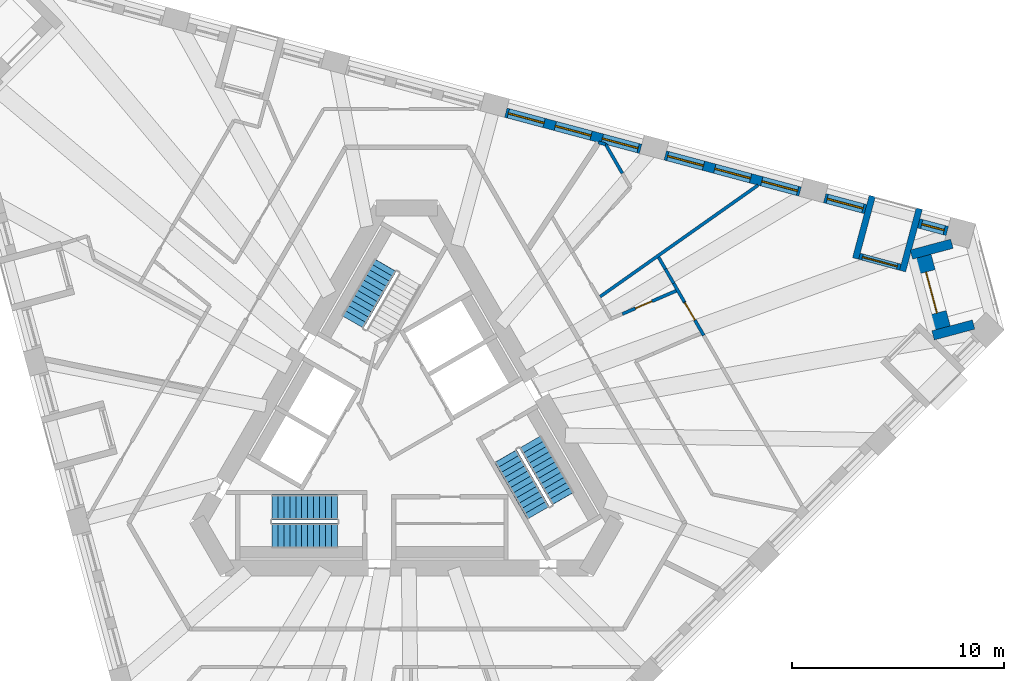
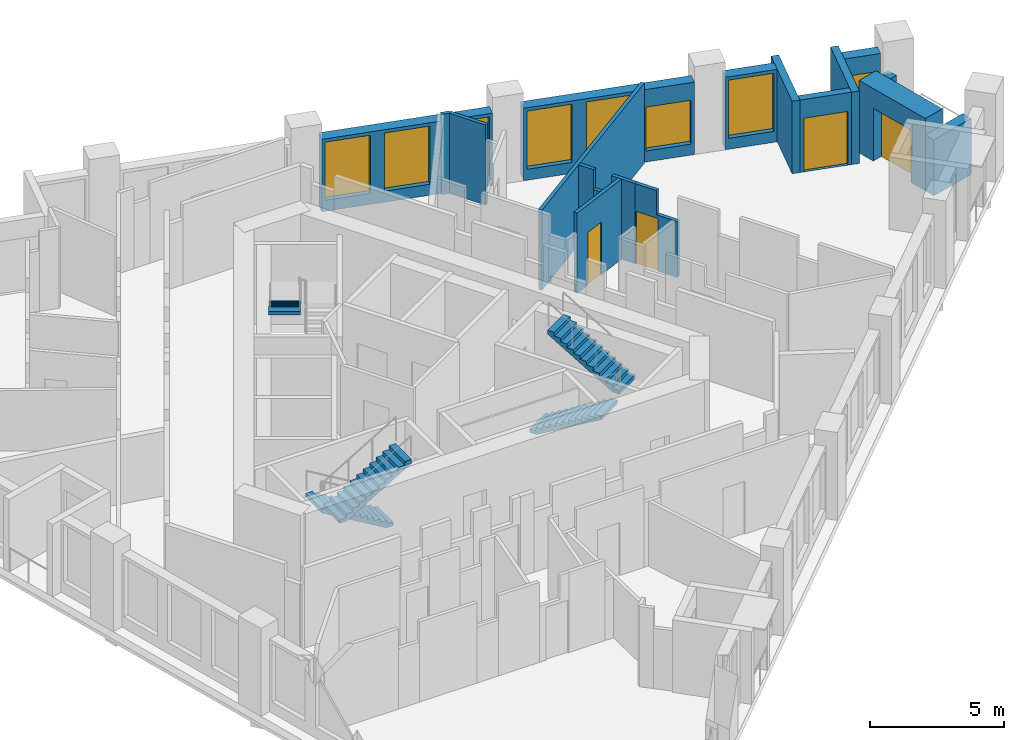
# One storey, part 8 of 13: 18 walls, 8 windows, 5 stair flights, 4 doors, 12 openings, 3 elements without a shape of their own.
"""IFC4 building model written with IfcOpenShell, lengths in metres."""

from ifc_helpers import new_model, si_unit, direction, frame, frame_2d, origin, place, context, subcontext, project, spatial, polyline, rectangle, outline, extrude, material, layer, layer_set, type_object, element, fill, aggregate, save


model = new_model("IFC4")

# Units and contexts
model_context = context("Model", 3, precision=1e-05, world=origin(), true_north=direction((0.0, 1.0)))
body_context = subcontext(model_context, "Body", "Model", "MODEL_VIEW")
ifc_project = project(units=[si_unit("LENGTHUNIT", "METRE"), si_unit("AREAUNIT", "SQUARE_METRE"), si_unit("VOLUMEUNIT", "CUBIC_METRE"), si_unit("PLANEANGLEUNIT", "RADIAN"), si_unit("MASSUNIT", "GRAM", prefix="KILO")], contexts=[model_context])

# Site, building, storey
site_placement = place(None, origin())
site = spatial("IfcSite", under=ifc_project, at=site_placement, CompositionType="ELEMENT")
building_placement = place(site_placement, origin())
building = spatial("IfcBuilding", under=site, at=building_placement, Name="Tramontana Tower", CompositionType="ELEMENT")
storey_placement = place(building_placement, frame((0.0, 0.0, 228.0)))
storey = spatial("IfcBuildingStorey", under=building, at=storey_placement, Name="L53", CompositionType="ELEMENT", Elevation=228.0)

# Wall, opening, window
ifc_material_1 = material(Name="Precast concrete 60 MPa", Category="concrete")
ifc_layer_1 = layer(ifc_material_1, 0.449951171875)
ifc_layer_set_1 = layer_set([ifc_layer_1], Name="Precast concrete 60 MPa, 450 mm")
wall_type_1 = type_object("IfcWallType", Name="EW1 Stone-faced precast wall 450", PredefinedType="SOLIDWALL", material=ifc_layer_set_1)
wall_1_placement = place(storey_placement, frame((25.522705078125, 9.54443359375, 0.0), z_axis=(0.0, 0.0, 1.0), x_axis=(-0.965938699585, 0.258770996527, 0.0)))
wall_1 = element("IfcWall", 1, at=wall_1_placement, inside=storey, type_object=wall_type_1, Name="External wall L53 face 2 bay 1", PredefinedType="SOLIDWALL", context=body_context, shape_type="SweptSolid", body=[
    extrude(rectangle(XDim=1.398193359375, YDim=0.449951171875, at=frame_2d((0.69921875, 0.0))), origin(), (0.0, 0.0, 1.0), 3.300048828125),
])
opening_1_placement = place(wall_1_placement, frame((0.14892578125, 0.0, 0.5)))
opening_1 = element("IfcOpeningElement", 2, at=opening_1_placement, cuts=wall_1, Name="Opening N2L", PredefinedType="OPENING", context=body_context, shape_type="SweptSolid", body=[
    extrude(rectangle(XDim=1.10009765625, YDim=2.0, at=frame_2d((0.550048828125, 1.0))), frame((0.0, 0.23486328125, 0.0), z_axis=(0.0, -1.0, 0.0), x_axis=(1.0, 0.0, 0.0)), (0.0, 0.0, 1.0), 0.469970703125),
])
ifc_material_2 = material(Name="Aluminum frame, double glazing unit", Category="aluminium")
window_type_1 = type_object("IfcWindowType", Name="N2L Window 1.1 x 2", PartitioningType="SINGLE_PANEL", PredefinedType="WINDOW", material=ifc_material_2)
window_1_placement = place(opening_1_placement, origin())
window_1 = element("IfcWindow", 3, at=window_1_placement, inside=storey, type_object=window_type_1, Name="Window N2L L53 face 2 module 1", OverallHeight=2.0, OverallWidth=1.10009765625, PartitioningType="SINGLE_PANEL", PredefinedType="WINDOW", context=body_context, shape_type="SweptSolid", body=[
    extrude(rectangle(XDim=1.10009765625, YDim=2.0, at=frame_2d((0.550048828125, 1.0))), frame((0.0, 0.030029296875, 0.0), z_axis=(0.0, -1.0, 0.0), x_axis=(1.0, 0.0, 0.0)), (0.0, 0.0, 1.0), 0.06005859375),
])
fill(opening_1, window_1)

wall_2_placement = place(storey_placement, frame((21.66259765625, 10.578857421875, 0.0), z_axis=(0.0, 0.0, 1.0), x_axis=(-0.96593005298, 0.258803270362, 0.0)))
wall_2 = element("IfcWall", 4, at=wall_2_placement, inside=storey, type_object=wall_type_1, Name="External wall L53 face 2 bay 1", PredefinedType="SOLIDWALL", context=body_context, shape_type="SweptSolid", body=[
    extrude(rectangle(XDim=1.998046875, YDim=0.449951171875, at=frame_2d((0.9990234375, 0.0))), origin(), (0.0, 0.0, 1.0), 3.300048828125),
])
opening_2_placement = place(wall_2_placement, frame((0.1240234375, 0.0, 0.5)))
opening_2 = element("IfcOpeningElement", 5, at=opening_2_placement, cuts=wall_2, Name="Opening M2", PredefinedType="OPENING", context=body_context, shape_type="SweptSolid", body=[
    extrude(rectangle(XDim=1.75, YDim=2.64990234375, at=frame_2d((0.875, 1.324951171875))), frame((0.0, 0.23486328125, 0.0), z_axis=(0.0, -1.0, 0.0), x_axis=(1.0, 0.0, 0.0)), (0.0, 0.0, 1.0), 0.469970703125),
])
ifc_material_3 = material(Name="Aluminum frame, double glazing unit", Category="aluminium")
window_type_2 = type_object("IfcWindowType", Name="M2 Window 1.75 x 2.65", PartitioningType="SINGLE_PANEL", PredefinedType="WINDOW", material=ifc_material_3)
window_2_placement = place(opening_2_placement, origin())
window_2 = element("IfcWindow", 6, at=window_2_placement, inside=storey, type_object=window_type_2, Name="Window M2 L53 face 2 module 3", OverallHeight=2.64990234375, OverallWidth=1.75, PartitioningType="SINGLE_PANEL", PredefinedType="WINDOW", context=body_context, shape_type="SweptSolid", body=[
    extrude(rectangle(XDim=1.75, YDim=2.64990234375, at=frame_2d((0.875, 1.324951171875))), frame((0.0, 0.030029296875, 0.0), z_axis=(0.0, -1.0, 0.0), x_axis=(1.0, 0.0, 0.0)), (0.0, 0.0, 1.0), 0.06005859375),
])
fill(opening_2, window_2)

# Wall, openings, windows
wall_3_placement = place(storey_placement, frame((18.573486328125, 11.406494140625, 0.0), z_axis=(0.0, 0.0, 1.0), x_axis=(-0.965921443251, 0.258835402268, 0.0)))
wall_3 = element("IfcWall", 7, at=wall_3_placement, inside=storey, type_object=wall_type_1, Name="External wall L53 face 2 bay 2", PredefinedType="SOLIDWALL", context=body_context, shape_type="SweptSolid", body=[
    extrude(rectangle(XDim=6.593994140625, YDim=0.449951171875, at=frame_2d((3.296875, 0.0))), origin(), (0.0, 0.0, 1.0), 3.300048828125),
])
opening_3_placement = place(wall_3_placement, frame((0.1240234375, 0.0, 0.5)))
opening_3 = element("IfcOpeningElement", 8, at=opening_3_placement, cuts=wall_3, Name="Opening M2L", PredefinedType="OPENING", context=body_context, shape_type="SweptSolid", body=[
    extrude(rectangle(XDim=1.75, YDim=2.0, at=frame_2d((0.875, 1.0))), frame((0.0, 0.23486328125, 0.0), z_axis=(0.0, -1.0, 0.0), x_axis=(1.0, 0.0, 0.0)), (0.0, 0.0, 1.0), 0.469970703125),
])
opening_4_placement = place(wall_3_placement, frame((2.422119140625, 0.0, 0.5)))
opening_4 = element("IfcOpeningElement", 9, at=opening_4_placement, cuts=wall_3, Name="Opening M2", PredefinedType="OPENING", context=body_context, shape_type="SweptSolid", body=[
    extrude(rectangle(XDim=1.75, YDim=2.64990234375, at=frame_2d((0.875, 1.324951171875))), frame((0.0, 0.23486328125, 0.0), z_axis=(0.0, -1.0, 0.0), x_axis=(1.0, 0.0, 0.0)), (0.0, 0.0, 1.0), 0.469970703125),
])
opening_5_placement = place(wall_3_placement, frame((4.72021484375, 0.0, 0.5)))
opening_5 = element("IfcOpeningElement", 10, at=opening_5_placement, cuts=wall_3, Name="Opening M2", PredefinedType="OPENING", context=body_context, shape_type="SweptSolid", body=[
    extrude(rectangle(XDim=1.75, YDim=2.64990234375, at=frame_2d((0.875, 1.324951171875))), frame((0.0, 0.23486328125, 0.0), z_axis=(0.0, -1.0, 0.0), x_axis=(1.0, 0.0, 0.0)), (0.0, 0.0, 1.0), 0.469970703125),
])
window_3_placement = place(opening_4_placement, origin())
window_3 = element("IfcWindow", 11, at=window_3_placement, inside=storey, type_object=window_type_2, Name="Window M2 L53 face 2 module 5", OverallHeight=2.64990234375, OverallWidth=1.75, PartitioningType="SINGLE_PANEL", PredefinedType="WINDOW", context=body_context, shape_type="SweptSolid", body=[
    extrude(rectangle(XDim=1.75, YDim=2.64990234375, at=frame_2d((0.875, 1.324951171875))), frame((0.0, 0.030029296875, 0.0), z_axis=(0.0, -1.0, 0.0), x_axis=(1.0, 0.0, 0.0)), (0.0, 0.0, 1.0), 0.06005859375),
])
fill(opening_4, window_3)
window_4_placement = place(opening_5_placement, origin())
window_4 = element("IfcWindow", 12, at=window_4_placement, inside=storey, type_object=window_type_2, Name="Window M2 L53 face 2 module 6", OverallHeight=2.64990234375, OverallWidth=1.75, PartitioningType="SINGLE_PANEL", PredefinedType="WINDOW", context=body_context, shape_type="SweptSolid", body=[
    extrude(rectangle(XDim=1.75, YDim=2.64990234375, at=frame_2d((0.875, 1.324951171875))), frame((0.0, 0.030029296875, 0.0), z_axis=(0.0, -1.0, 0.0), x_axis=(1.0, 0.0, 0.0)), (0.0, 0.0, 1.0), 0.06005859375),
])
fill(opening_5, window_4)
ifc_material_4 = material(Name="Aluminum frame, double glazing unit", Category="aluminium")
window_type_3 = type_object("IfcWindowType", Name="M2L Window 1.75 x 2", PartitioningType="SINGLE_PANEL", PredefinedType="WINDOW", material=ifc_material_4)
window_5_placement = place(opening_3_placement, origin())
window_5 = element("IfcWindow", 13, at=window_5_placement, inside=storey, type_object=window_type_3, Name="Window M2L L53 face 2 module 4", OverallHeight=2.0, OverallWidth=1.75, PartitioningType="SINGLE_PANEL", PredefinedType="WINDOW", context=body_context, shape_type="SweptSolid", body=[
    extrude(rectangle(XDim=1.75, YDim=2.0, at=frame_2d((0.875, 1.0))), frame((0.0, 0.030029296875, 0.0), z_axis=(0.0, -1.0, 0.0), x_axis=(1.0, 0.0, 0.0)), (0.0, 0.0, 1.0), 0.06005859375),
])
fill(opening_3, window_5)

wall_4_placement = place(storey_placement, frame((11.044921875, 13.423828125, 0.0), z_axis=(0.0, 0.0, 1.0), x_axis=(-0.965933178973, 0.258791602952, 0.0)))
wall_4 = element("IfcWall", 14, at=wall_4_placement, inside=storey, type_object=wall_type_1, Name="External wall L53 face 2 bay 3", PredefinedType="SOLIDWALL", context=body_context, shape_type="SweptSolid", body=[
    extrude(rectangle(XDim=6.59423828125, YDim=0.449951171875, at=frame_2d((3.297119140625, 0.0))), origin(), (0.0, 0.0, 1.0), 3.300048828125),
])
opening_6_placement = place(wall_4_placement, frame((0.1240234375, 0.0, 0.5)))
opening_6 = element("IfcOpeningElement", 15, at=opening_6_placement, cuts=wall_4, Name="Opening M2", PredefinedType="OPENING", context=body_context, shape_type="SweptSolid", body=[
    extrude(rectangle(XDim=1.75, YDim=2.64990234375, at=frame_2d((0.875, 1.324951171875))), frame((0.0, 0.23486328125, 0.0), z_axis=(0.0, -1.0, 0.0), x_axis=(1.0, 0.0, 0.0)), (0.0, 0.0, 1.0), 0.469970703125),
])
opening_7_placement = place(wall_4_placement, frame((2.422119140625, 0.0, 0.5)))
opening_7 = element("IfcOpeningElement", 16, at=opening_7_placement, cuts=wall_4, Name="Opening M2", PredefinedType="OPENING", context=body_context, shape_type="SweptSolid", body=[
    extrude(rectangle(XDim=1.75, YDim=2.64990234375, at=frame_2d((0.875, 1.324951171875))), frame((0.0, 0.23486328125, 0.0), z_axis=(0.0, -1.0, 0.0), x_axis=(1.0, 0.0, 0.0)), (0.0, 0.0, 1.0), 0.469970703125),
])
opening_8_placement = place(wall_4_placement, frame((4.72021484375, 0.0, 0.5)))
opening_8 = element("IfcOpeningElement", 17, at=opening_8_placement, cuts=wall_4, Name="Opening M2", PredefinedType="OPENING", context=body_context, shape_type="SweptSolid", body=[
    extrude(rectangle(XDim=1.75, YDim=2.64990234375, at=frame_2d((0.875, 1.324951171875))), frame((0.0, 0.23486328125, 0.0), z_axis=(0.0, -1.0, 0.0), x_axis=(1.0, 0.0, 0.0)), (0.0, 0.0, 1.0), 0.469970703125),
])
window_6_placement = place(opening_6_placement, origin())
window_6 = element("IfcWindow", 18, at=window_6_placement, inside=storey, type_object=window_type_2, Name="Window M2 L53 face 2 module 7", OverallHeight=2.64990234375, OverallWidth=1.75, PartitioningType="SINGLE_PANEL", PredefinedType="WINDOW", context=body_context, shape_type="SweptSolid", body=[
    extrude(rectangle(XDim=1.75, YDim=2.64990234375, at=frame_2d((0.875, 1.324951171875))), frame((0.0, 0.030029296875, 0.0), z_axis=(0.0, -1.0, 0.0), x_axis=(1.0, 0.0, 0.0)), (0.0, 0.0, 1.0), 0.06005859375),
])
fill(opening_6, window_6)
window_7_placement = place(opening_7_placement, origin())
window_7 = element("IfcWindow", 19, at=window_7_placement, inside=storey, type_object=window_type_2, Name="Window M2 L53 face 2 module 8", OverallHeight=2.64990234375, OverallWidth=1.75, PartitioningType="SINGLE_PANEL", PredefinedType="WINDOW", context=body_context, shape_type="SweptSolid", body=[
    extrude(rectangle(XDim=1.75, YDim=2.64990234375, at=frame_2d((0.875, 1.324951171875))), frame((0.0, 0.030029296875, 0.0), z_axis=(0.0, -1.0, 0.0), x_axis=(1.0, 0.0, 0.0)), (0.0, 0.0, 1.0), 0.06005859375),
])
fill(opening_7, window_7)
window_8_placement = place(opening_8_placement, origin())
window_8 = element("IfcWindow", 20, at=window_8_placement, inside=storey, type_object=window_type_2, Name="Window M2 L53 face 2 module 9", OverallHeight=2.64990234375, OverallWidth=1.75, PartitioningType="SINGLE_PANEL", PredefinedType="WINDOW", context=body_context, shape_type="SweptSolid", body=[
    extrude(rectangle(XDim=1.75, YDim=2.64990234375, at=frame_2d((0.875, 1.324951171875))), frame((0.0, 0.030029296875, 0.0), z_axis=(0.0, -1.0, 0.0), x_axis=(1.0, 0.0, 0.0)), (0.0, 0.0, 1.0), 0.06005859375),
])
fill(opening_8, window_8)

# Walls
wall_5_placement = place(storey_placement, frame((25.741943359375, 8.942138671875, 0.0), z_axis=(0.0, 0.0, 1.0), x_axis=(-0.965935388955, -0.258783354109, 0.0)))
element("IfcWall", 21, at=wall_5_placement, inside=storey, type_object=wall_type_1, Name="Corner loggia side wall L53 K52l", PredefinedType="SOLIDWALL", context=body_context, shape_type="SweptSolid", body=[
    extrude(rectangle(XDim=1.979248046875, YDim=0.449951171875, at=frame_2d((0.98974609375, 0.0))), origin(), (0.0, 0.0, 1.0), 2.550048828125),
])
wall_6_placement = place(storey_placement, frame((26.76416015625, 5.126708984375, 0.0), z_axis=(0.0, 0.0, 1.0), x_axis=(-0.965927127032, -0.258814190615, 0.0)))
element("IfcWall", 22, at=wall_6_placement, inside=storey, type_object=wall_type_1, Name="Corner loggia side wall L53 K52r", PredefinedType="SOLIDWALL", context=body_context, shape_type="SweptSolid", body=[
    extrude(rectangle(XDim=1.97900390625, YDim=0.449951171875, at=frame_2d((0.989501953125, 0.0))), origin(), (0.0, 0.0, 1.0), 2.550048828125),
])

# Wall, opening, door
ifc_material_5 = material(Name="Precast concrete 60 MPa", Category="concrete")
ifc_layer_2 = layer(ifc_material_5, 0.89990234375)
ifc_layer_set_2 = layer_set([ifc_layer_2], Name="EW2 Stone-faced corner loggia wall 900")
wall_type_2 = type_object("IfcWallType", Name="EW2 Stone-faced corner loggia wall 900", PredefinedType="SOLIDWALL", material=ifc_layer_set_2)
wall_7_placement = place(storey_placement, frame((24.322998046875, 8.3291015625, 0.0), z_axis=(0.0, 0.0, 1.0), x_axis=(0.258847652622, -0.965918160473, 0.0)))
wall_7 = element("IfcWall", 23, at=wall_7_placement, inside=storey, type_object=wall_type_2, Name="Corner loggia wall L53 K52", PredefinedType="SOLIDWALL", context=body_context, shape_type="SweptSolid", body=[
    extrude(rectangle(XDim=3.500244140625, YDim=0.89990234375, at=frame_2d((1.75, 0.0))), origin(), (0.0, 0.0, 1.0), 3.300048828125),
])
opening_9_placement = place(wall_7_placement, frame((0.75, 0.0, 0.0)))
opening_9 = element("IfcOpeningElement", 24, at=opening_9_placement, cuts=wall_7, Name="Opening BD-52C", PredefinedType="OPENING", context=body_context, shape_type="SweptSolid", body=[
    extrude(rectangle(XDim=2.0, YDim=2.39990234375, at=frame_2d((1.0, 1.199951171875))), frame((0.0, 0.4599609375, 0.0), z_axis=(0.0, -1.0, 0.0), x_axis=(1.0, 0.0, 0.0)), (0.0, 0.0, 1.0), 0.919921875),
])
ifc_material_6 = material(Name="Aluminum frame, double glazing unit", Category="aluminium")
door_type_1 = type_object("IfcDoorType", Name="BC1 Sliding door 2 x 2.4", OperationType="SLIDING_TO_LEFT", PredefinedType="DOOR", material=ifc_material_6)
door_1_placement = place(opening_9_placement, origin())
door_1 = element("IfcDoor", 25, at=door_1_placement, inside=storey, type_object=door_type_1, Name="Corner loggia door L53 K52", OperationType="SLIDING_TO_LEFT", OverallHeight=2.39990234375, OverallWidth=2.0, PredefinedType="DOOR", context=body_context, shape_type="SweptSolid", body=[
    extrude(rectangle(XDim=2.0, YDim=2.39990234375, at=frame_2d((1.0, 1.199951171875))), frame((0.0, 0.02490234375, 0.0), z_axis=(0.0, -1.0, 0.0), x_axis=(1.0, 0.0, 0.0)), (0.0, 0.0, 1.0), 0.050048828125),
])
fill(opening_9, door_1)

ifc_material_7 = material(Name="Precast concrete 60 MPa", Category="concrete")
ifc_layer_3 = layer(ifc_material_7, 0.300048828125)
ifc_layer_set_3 = layer_set([ifc_layer_3], Name="LW1 Stone-faced loggia wall 300")
wall_type_3 = type_object("IfcWallType", Name="LW1 Stone-faced loggia wall 300", PredefinedType="SOLIDWALL", material=ifc_layer_set_3)
wall_8_placement = place(storey_placement, frame((23.306640625, 7.834716796875, 0.0), z_axis=(0.0, 0.0, 1.0), x_axis=(-0.965938235865, 0.258772727493, 0.0)))
wall_8 = element("IfcWall", 26, at=wall_8_placement, inside=storey, type_object=wall_type_3, Name="Loggia wall L53 G5S2.1", PredefinedType="SOLIDWALL", context=body_context, shape_type="SweptSolid", body=[
    extrude(rectangle(XDim=1.998291015625, YDim=0.300048828125, at=frame_2d((0.9990234375, 0.0))), origin(), (0.0, 0.0, 1.0), 3.300048828125),
])
opening_10_placement = place(wall_8_placement, frame((0.14892578125, 0.0, 0.0)))
opening_10 = element("IfcOpeningElement", 27, at=opening_10_placement, cuts=wall_8, Name="Opening BD-5S2-01", PredefinedType="OPENING", context=body_context, shape_type="SweptSolid", body=[
    extrude(rectangle(XDim=1.699951171875, YDim=2.449951171875, at=frame_2d((0.85009765625, 1.22509765625))), frame((0.0, 0.159912109375, 0.0), z_axis=(0.0, -1.0, 0.0), x_axis=(1.0, 0.0, 0.0)), (0.0, 0.0, 1.0), 0.320068359375),
])
ifc_material_8 = material(Name="Aluminum frame, double glazing unit", Category="aluminium")
door_type_2 = type_object("IfcDoorType", Name="BD2 Sliding door 1.7 x 2.45", OperationType="SLIDING_TO_LEFT", PredefinedType="DOOR", material=ifc_material_8)
door_2_placement = place(opening_10_placement, origin())
door_2 = element("IfcDoor", 28, at=door_2_placement, inside=storey, type_object=door_type_2, Name="Loggia door L53 G5S2.1", OperationType="SLIDING_TO_LEFT", OverallHeight=2.449951171875, OverallWidth=1.699951171875, PredefinedType="DOOR", context=body_context, shape_type="SweptSolid", body=[
    extrude(rectangle(XDim=1.699951171875, YDim=2.449951171875, at=frame_2d((0.85009765625, 1.22509765625))), frame((0.0, 0.02490234375, 0.0), z_axis=(0.0, -1.0, 0.0), x_axis=(1.0, 0.0, 0.0)), (0.0, 0.0, 1.0), 0.050048828125),
])
fill(opening_10, door_2)

# Walls
for number, where, z_axis, x_axis, name in (
    (29, (24.201904296875, 10.59716796875, 0.0), (0.0, 0.0, 1.0), (-0.258793435045, -0.965932688119, 0.0), "Loggia return L53 G5S2.1a"),
    (30, (21.982177734375, 11.19189453125, 0.0), (0.0, 0.0, 1.0), (-0.258793435045, -0.965932688119, 0.0), "Loggia return L53 G5S2.1b"),
):
    element("IfcWall", number, at=place(storey_placement, frame(where, z_axis=z_axis, x_axis=x_axis)), inside=storey, type_object=wall_type_3, Name=name, PredefinedType="SOLIDWALL", context=body_context, shape_type="SweptSolid", body=[
        extrude(rectangle(XDim=3.050048828125, YDim=0.300048828125, at=frame_2d((1.52490234375, 0.0))), origin(), (0.0, 0.0, 1.0), 3.300048828125),
    ])
ifc_material_9 = material(Name="Gypsum board partition")
ifc_layer_4 = layer(ifc_material_9, 0.14990234375)
ifc_layer_set_4 = layer_set([ifc_layer_4], Name="PARTITION 150")
wall_type_4 = type_object("IfcWallType", Name="PARTITION 150", PredefinedType="PARTITIONING", material=ifc_layer_set_4)
wall_9_placement = place(storey_placement, frame((9.056640625, 13.7236328125, 0.0), z_axis=(0.0, 0.0, 1.0), x_axis=(0.96594175785, -0.258759580387, 0.0)))
element("IfcWall", 31, at=wall_9_placement, inside=storey, type_object=wall_type_4, Name="Wall v52-pw26", PredefinedType="PARTITIONING", context=body_context, shape_type="SweptSolid", body=[
    extrude(rectangle(XDim=0.34619140625, YDim=0.14990234375, at=frame_2d((0.173095703125, 0.0))), origin(), (0.0, 0.0, 1.0), 3.64990234375),
])
wall_10_placement = place(storey_placement, frame((9.126708984375, 6.44189453125, 0.0), z_axis=(0.0, 0.0, 1.0), x_axis=(0.816989355672, 0.576652748817, 0.0)))
element("IfcWall", 32, at=wall_10_placement, inside=storey, type_object=wall_type_4, Name="Wall v52-pw27", PredefinedType="PARTITIONING", context=body_context, shape_type="SweptSolid", body=[
    extrude(rectangle(XDim=9.129150390625, YDim=0.14990234375, at=frame_2d((4.564453125, 0.0))), origin(), (0.0, 0.0, 1.0), 3.64990234375),
])
wall_11_placement = place(storey_placement, frame((9.39111328125, 13.634033203125, 0.0), z_axis=(0.0, 0.0, 1.0), x_axis=(0.500048238042, -0.865997551747, 0.0)))
element("IfcWall", 33, at=wall_11_placement, inside=storey, type_object=wall_type_4, Name="Wall v52-pw28-0", PredefinedType="PARTITIONING", context=body_context, shape_type="SweptSolid", body=[
    extrude(rectangle(XDim=1.578369140625, YDim=0.14990234375, at=frame_2d((0.7890625, 0.0))), origin(), (0.0, 0.0, 1.0), 3.64990234375),
])

# Wall, opening, door
wall_12_placement = place(storey_placement, frame((10.1806640625, 5.626220703125, 0.0), z_axis=(0.0, 0.0, 1.0), x_axis=(0.918774601561, 0.394782511677, 0.0)))
wall_12 = element("IfcWall", 34, at=wall_12_placement, inside=storey, type_object=wall_type_4, Name="Wall v52-pw29-1", PredefinedType="PARTITIONING", context=body_context, shape_type="SweptSolid", body=[
    extrude(rectangle(XDim=2.764404296875, YDim=0.14990234375, at=frame_2d((1.38232421875, 0.0))), origin(), (0.0, 0.0, 1.0), 3.64990234375),
])
opening_11_placement = place(wall_12_placement, frame((0.666015625, 0.0, 0.0)))
opening_11 = element("IfcOpeningElement", 35, at=opening_11_placement, cuts=wall_12, Name="Opening B5C-13", PredefinedType="OPENING", context=body_context, shape_type="SweptSolid", body=[
    extrude(rectangle(XDim=0.85009765625, YDim=2.39990234375, at=frame_2d((0.425048828125, 1.199951171875))), frame((0.0, 0.0849609375, 0.0), z_axis=(0.0, -1.0, 0.0), x_axis=(1.0, 0.0, 0.0)), (0.0, 0.0, 1.0), 0.169921875),
])
ifc_material_10 = material(Name="Painted timber", Category="wood")
door_type_3 = type_object("IfcDoorType", Name="DOOR BATH 850", OperationType="SINGLE_SWING_LEFT", PredefinedType="DOOR", material=ifc_material_10)
door_3_placement = place(opening_11_placement, origin())
door_3 = element("IfcDoor", 36, at=door_3_placement, inside=storey, type_object=door_type_3, Name="Door B5C-13", OperationType="SINGLE_SWING_LEFT", OverallHeight=2.39990234375, OverallWidth=0.85009765625, PredefinedType="DOOR", context=body_context, shape_type="SweptSolid", body=[
    extrude(rectangle(XDim=0.85009765625, YDim=2.39990234375, at=frame_2d((0.425048828125, 1.199951171875))), frame((0.0, 0.02490234375, 0.0), z_axis=(0.0, -1.0, 0.0), x_axis=(1.0, 0.0, 0.0)), (0.0, 0.0, 1.0), 0.050048828125),
])
fill(opening_11, door_3)

# Walls
wall_13_placement = place(storey_placement, frame((11.892333984375, 8.302001953125, 0.0), z_axis=(0.0, 0.0, 1.0), x_axis=(0.499842556608, -0.866116284689, 0.0)))
element("IfcWall", 37, at=wall_13_placement, inside=storey, type_object=wall_type_4, Name="Wall v52-pw33-0", PredefinedType="PARTITIONING", context=body_context, shape_type="SweptSolid", body=[
    extrude(rectangle(XDim=0.645263671875, YDim=0.14990234375, at=frame_2d((0.32275390625, 0.0))), origin(), (0.0, 0.0, 1.0), 3.64990234375),
])
wall_14_placement = place(storey_placement, frame((12.21484375, 7.7431640625, 0.0), z_axis=(0.0, 0.0, 1.0), x_axis=(0.500204125617, -0.865907519724, 0.0)))
element("IfcWall", 38, at=wall_14_placement, inside=storey, type_object=wall_type_4, Name="Wall v52-pw33-1", PredefinedType="PARTITIONING", context=body_context, shape_type="SweptSolid", body=[
    extrude(rectangle(XDim=0.775146484375, YDim=0.14990234375, at=frame_2d((0.3876953125, 0.0))), origin(), (0.0, 0.0, 1.0), 2.75),
])
wall_15_placement = place(storey_placement, frame((12.6025390625, 7.072021484375, 0.0), z_axis=(0.0, 0.0, 1.0), x_axis=(0.499813337478, -0.866133146623, 0.0)))
element("IfcWall", 39, at=wall_15_placement, inside=storey, type_object=wall_type_4, Name="Wall v52-pw33-2", PredefinedType="PARTITIONING", context=body_context, shape_type="SweptSolid", body=[
    extrude(rectangle(XDim=1.0078125, YDim=0.14990234375, at=frame_2d((0.50390625, 0.0))), origin(), (0.0, 0.0, 1.0), 3.64990234375),
])

# Wall, opening, door
wall_16_placement = place(storey_placement, frame((13.106201171875, 6.19921875, 0.0), z_axis=(0.0, 0.0, 1.0), x_axis=(0.500011000363, -0.866019052629, 0.0)))
wall_16 = element("IfcWall", 40, at=wall_16_placement, inside=storey, type_object=wall_type_4, Name="Wall v52-pw33-3", PredefinedType="PARTITIONING", context=body_context, shape_type="SweptSolid", body=[
    extrude(outline(polyline([(0.0, 0.0), (1.8310546875, 0.0), (1.8310546875, 2.550048828125), (0.9423828125, 2.550048828125), (0.9423828125, 3.64990234375), (0.0, 3.64990234375), (0.0, 0.0)])), frame((0.0, 0.074951171875, 0.0), z_axis=(0.0, -1.0, 0.0), x_axis=(1.0, 0.0, 0.0)), (0.0, 0.0, 1.0), 0.14990234375),
])
opening_12_placement = place(wall_16_placement, frame((0.050048828125, 0.0, 0.0)))
opening_12 = element("IfcOpeningElement", 41, at=opening_12_placement, cuts=wall_16, Name="Opening B5C-14", PredefinedType="OPENING", context=body_context, shape_type="SweptSolid", body=[
    extrude(rectangle(XDim=0.949951171875, YDim=2.39990234375, at=frame_2d((0.47509765625, 1.199951171875))), frame((0.0, 0.0849609375, 0.0), z_axis=(0.0, -1.0, 0.0), x_axis=(1.0, 0.0, 0.0)), (0.0, 0.0, 1.0), 0.169921875),
])
ifc_material_11 = material(Name="Painted timber", Category="wood")
door_type_4 = type_object("IfcDoorType", Name="DOOR ROOM 950", OperationType="SINGLE_SWING_LEFT", PredefinedType="DOOR", material=ifc_material_11)
door_4_placement = place(opening_12_placement, origin())
door_4 = element("IfcDoor", 42, at=door_4_placement, inside=storey, type_object=door_type_4, Name="Door B5C-14", OperationType="SINGLE_SWING_RIGHT", OverallHeight=2.39990234375, OverallWidth=0.949951171875, PredefinedType="DOOR", context=body_context, shape_type="SweptSolid", body=[
    extrude(rectangle(XDim=0.949951171875, YDim=2.39990234375, at=frame_2d((0.47509765625, 1.199951171875))), frame((0.0, 0.02490234375, 0.0), z_axis=(0.0, -1.0, 0.0), x_axis=(1.0, 0.0, 0.0)), (0.0, 0.0, 1.0), 0.050048828125),
])
fill(opening_12, door_4)

# Stair, stair flight
ifc_material_12 = material(Name="Concrete 40 MPa", Category="concrete")
stair_type = type_object("IfcStairType", Name="EXIT STAIR 24 RISERS", PredefinedType="HALF_TURN_STAIR", material=ifc_material_12)
stair_1_placement = place(storey_placement, origin())
stair_1 = element("IfcStair", 43, at=stair_1_placement, inside=storey, type_object=stair_type, Name="L53 Exit stair ST1", PredefinedType="HALF_TURN_STAIR")
ifc_material_13 = material(Name="Concrete 40 MPa", Category="concrete")
ifc_layer_5 = layer(ifc_material_13, 0.14990234375)
ifc_layer_set_5 = layer_set([ifc_layer_5], Name="EXIT STAIR FLIGHT")
stair_flight_type = type_object("IfcStairFlightType", Name="EXIT STAIR FLIGHT", PredefinedType="STRAIGHT", material=ifc_layer_set_5)
stair_flight_1_placement = place(storey_placement, frame((-1.020263671875, 7.932861328125, 2.0), z_axis=(0.0, 0.0, 1.0), x_axis=(-0.5, -0.866025403784, 0.0)))
stair_flight_1 = element("IfcStairFlight", 44, at=stair_flight_1_placement, type_object=stair_flight_type, Name="ST1 flight 2", NumberOfRisers=12, NumberOfTreads=11, PredefinedType="STRAIGHT", RiserHeight=0.166666667, TreadLength=0.28, context=body_context, shape_type="SweptSolid", body=[
    extrude(outline(polyline([(-0.006103515625, 0.0), (-0.006103515625, 0.0400390625), (0.0, 0.0400390625), (0.0, 0.166748046875), (0.280029296875, 0.166748046875), (0.280029296875, 0.333251953125), (0.56005859375, 0.333251953125), (0.56005859375, 0.5), (0.840087890625, 0.5), (0.840087890625, 0.666748046875), (1.1201171875, 0.666748046875), (1.1201171875, 0.833251953125), (1.39990234375, 0.833251953125), (1.39990234375, 1.0), (1.679931640625, 1.0), (1.679931640625, 1.166748046875), (1.9599609375, 1.166748046875), (1.9599609375, 1.333251953125), (2.239990234375, 1.333251953125), (2.239990234375, 1.5), (2.52001953125, 1.5), (2.52001953125, 1.666748046875), (2.800048828125, 1.666748046875), (2.800048828125, 1.833251953125), (3.080078125, 1.833251953125), (3.0859375, 1.833251953125), (3.0859375, 1.658935546875), (0.299072265625, 0.0), (-0.006103515625, 0.0)])), frame((0.0, 0.60009765625, 0.0), z_axis=(0.0, -1.0, 0.0), x_axis=(1.0, 0.0, 0.0)), (0.0, 0.0, 1.0), 1.199951171875),
])
aggregate(stair_1, [stair_flight_1])

# Stair, stair flights
stair_2_placement = place(storey_placement, origin())
stair_2 = element("IfcStair", 45, at=stair_2_placement, inside=storey, type_object=stair_type, Name="L53 Exit stair ST2", PredefinedType="HALF_TURN_STAIR")
stair_flight_2_placement = place(storey_placement, frame((-3.280029296875, -3.5, 0.0), z_axis=(0.0, 0.0, 1.0), x_axis=(-1.0, 0.0, 0.0)))
stair_flight_2 = element("IfcStairFlight", 46, at=stair_flight_2_placement, type_object=stair_flight_type, Name="ST2 flight 1", NumberOfRisers=12, NumberOfTreads=11, PredefinedType="STRAIGHT", RiserHeight=0.166666667, TreadLength=0.28, context=body_context, shape_type="SweptSolid", body=[
    extrude(outline(polyline([(-0.006103515625, 0.0), (-0.006103515625, 0.0400390625), (0.0, 0.0400390625), (0.0, 0.166748046875), (0.280029296875, 0.166748046875), (0.280029296875, 0.333251953125), (0.56005859375, 0.333251953125), (0.56005859375, 0.5), (0.840087890625, 0.5), (0.840087890625, 0.666748046875), (1.1201171875, 0.666748046875), (1.1201171875, 0.833251953125), (1.39990234375, 0.833251953125), (1.39990234375, 1.0), (1.679931640625, 1.0), (1.679931640625, 1.166748046875), (1.9599609375, 1.166748046875), (1.9599609375, 1.333251953125), (2.239990234375, 1.333251953125), (2.239990234375, 1.5), (2.52001953125, 1.5), (2.52001953125, 1.666748046875), (2.800048828125, 1.666748046875), (2.800048828125, 1.833251953125), (3.080078125, 1.833251953125), (3.0859375, 1.833251953125), (3.0859375, 1.658935546875), (0.299072265625, 0.0), (-0.006103515625, 0.0)])), frame((0.0, 0.60009765625, 0.0), z_axis=(0.0, -1.0, 0.0), x_axis=(1.0, 0.0, 0.0)), (0.0, 0.0, 1.0), 1.199951171875),
])
stair_flight_3_placement = place(storey_placement, frame((-6.360107421875, -4.85009765625, 2.0), z_axis=(0.0, 0.0, 1.0), x_axis=(1.0, 0.0, 0.0)))
stair_flight_3 = element("IfcStairFlight", 47, at=stair_flight_3_placement, type_object=stair_flight_type, Name="ST2 flight 2", NumberOfRisers=12, NumberOfTreads=11, PredefinedType="STRAIGHT", RiserHeight=0.166666667, TreadLength=0.28, context=body_context, shape_type="SweptSolid", body=[
    extrude(outline(polyline([(-0.006103515625, 0.0), (-0.006103515625, 0.0400390625), (0.0, 0.0400390625), (0.0, 0.166748046875), (0.280029296875, 0.166748046875), (0.280029296875, 0.333251953125), (0.56005859375, 0.333251953125), (0.56005859375, 0.5), (0.840087890625, 0.5), (0.840087890625, 0.666748046875), (1.1201171875, 0.666748046875), (1.1201171875, 0.833251953125), (1.39990234375, 0.833251953125), (1.39990234375, 1.0), (1.679931640625, 1.0), (1.679931640625, 1.166748046875), (1.9599609375, 1.166748046875), (1.9599609375, 1.333251953125), (2.239990234375, 1.333251953125), (2.239990234375, 1.5), (2.52001953125, 1.5), (2.52001953125, 1.666748046875), (2.800048828125, 1.666748046875), (2.800048828125, 1.833251953125), (3.080078125, 1.833251953125), (3.0859375, 1.833251953125), (3.0859375, 1.658935546875), (0.299072265625, 0.0), (-0.006103515625, 0.0)])), frame((0.0, 0.60009765625, 0.0), z_axis=(0.0, -1.0, 0.0), x_axis=(1.0, 0.0, 0.0)), (0.0, 0.0, 1.0), 1.199951171875),
])
aggregate(stair_2, [stair_flight_2, stair_flight_3])

stair_3_placement = place(storey_placement, origin())
stair_3 = element("IfcStair", 48, at=stair_3_placement, inside=storey, type_object=stair_type, Name="L53 Exit stair ST3", PredefinedType="HALF_TURN_STAIR")
stair_flight_4_placement = place(storey_placement, frame((4.671142578125, -1.090576171875, 0.0), z_axis=(0.0, 0.0, 1.0), x_axis=(0.5, -0.866025403784, 0.0)))
stair_flight_4 = element("IfcStairFlight", 49, at=stair_flight_4_placement, type_object=stair_flight_type, Name="ST3 flight 1", NumberOfRisers=12, NumberOfTreads=11, PredefinedType="STRAIGHT", RiserHeight=0.166666667, TreadLength=0.28, context=body_context, shape_type="SweptSolid", body=[
    extrude(outline(polyline([(-0.006103515625, 0.0), (-0.006103515625, 0.0400390625), (0.0, 0.0400390625), (0.0, 0.166748046875), (0.280029296875, 0.166748046875), (0.280029296875, 0.333251953125), (0.56005859375, 0.333251953125), (0.56005859375, 0.5), (0.840087890625, 0.5), (0.840087890625, 0.666748046875), (1.1201171875, 0.666748046875), (1.1201171875, 0.833251953125), (1.39990234375, 0.833251953125), (1.39990234375, 1.0), (1.679931640625, 1.0), (1.679931640625, 1.166748046875), (1.9599609375, 1.166748046875), (1.9599609375, 1.333251953125), (2.239990234375, 1.333251953125), (2.239990234375, 1.5), (2.52001953125, 1.5), (2.52001953125, 1.666748046875), (2.800048828125, 1.666748046875), (2.800048828125, 1.833251953125), (3.080078125, 1.833251953125), (3.0859375, 1.833251953125), (3.0859375, 1.658935546875), (0.299072265625, 0.0), (-0.006103515625, 0.0)])), frame((0.0, 0.60009765625, 0.0), z_axis=(0.0, -1.0, 0.0), x_axis=(1.0, 0.0, 0.0)), (0.0, 0.0, 1.0), 1.199951171875),
])
stair_flight_5_placement = place(storey_placement, frame((7.380126953125, -3.0830078125, 2.0), z_axis=(0.0, 0.0, 1.0), x_axis=(-0.5, 0.866025403784, 0.0)))
stair_flight_5 = element("IfcStairFlight", 50, at=stair_flight_5_placement, type_object=stair_flight_type, Name="ST3 flight 2", NumberOfRisers=12, NumberOfTreads=11, PredefinedType="STRAIGHT", RiserHeight=0.166666667, TreadLength=0.28, context=body_context, shape_type="SweptSolid", body=[
    extrude(outline(polyline([(-0.006103515625, 0.0), (-0.006103515625, 0.0400390625), (0.0, 0.0400390625), (0.0, 0.166748046875), (0.280029296875, 0.166748046875), (0.280029296875, 0.333251953125), (0.56005859375, 0.333251953125), (0.56005859375, 0.5), (0.840087890625, 0.5), (0.840087890625, 0.666748046875), (1.1201171875, 0.666748046875), (1.1201171875, 0.833251953125), (1.39990234375, 0.833251953125), (1.39990234375, 1.0), (1.679931640625, 1.0), (1.679931640625, 1.166748046875), (1.9599609375, 1.166748046875), (1.9599609375, 1.333251953125), (2.239990234375, 1.333251953125), (2.239990234375, 1.5), (2.52001953125, 1.5), (2.52001953125, 1.666748046875), (2.800048828125, 1.666748046875), (2.800048828125, 1.833251953125), (3.080078125, 1.833251953125), (3.0859375, 1.833251953125), (3.0859375, 1.658935546875), (0.299072265625, 0.0), (-0.006103515625, 0.0)])), frame((0.0, 0.60009765625, 0.0), z_axis=(0.0, -1.0, 0.0), x_axis=(1.0, 0.0, 0.0)), (0.0, 0.0, 1.0), 1.199951171875),
])
aggregate(stair_3, [stair_flight_4, stair_flight_5])

save(model, "model.ifc")
